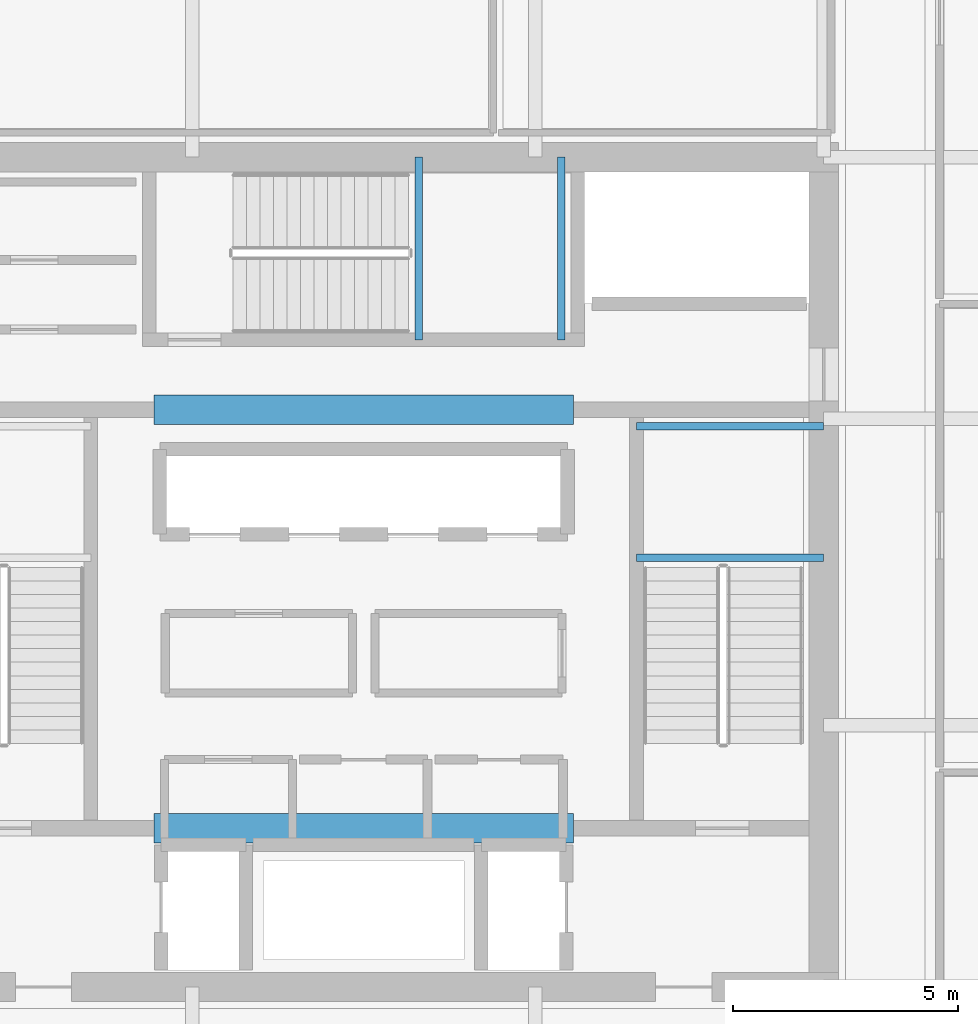
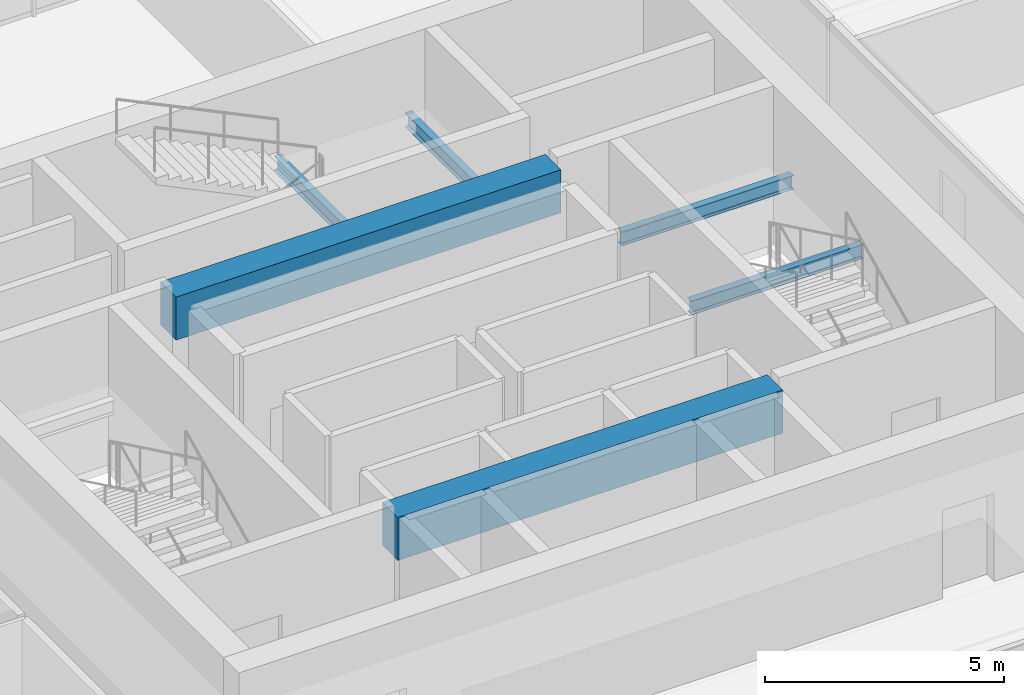
# One storey, part 12 of 36: 6 beams.
"""IFC4 building model written with IfcOpenShell, lengths in metres."""

from ifc_helpers import new_model, si_unit, direction, frame, origin, origin_2d, place, context, subcontext, project, spatial, rectangle, i_section, extrude, material, material_profile, profile_set, type_object, element, save


model = new_model("IFC4")

# Units and contexts
model_context = context("Model", 3, precision=1e-05, world=origin(), true_north=direction((0.0, 1.0)))
body_context = subcontext(model_context, "Body", "Model", "MODEL_VIEW")
ifc_project = project(units=[si_unit("LENGTHUNIT", "METRE"), si_unit("AREAUNIT", "SQUARE_METRE"), si_unit("VOLUMEUNIT", "CUBIC_METRE"), si_unit("PLANEANGLEUNIT", "RADIAN"), si_unit("MASSUNIT", "GRAM", prefix="KILO")], contexts=[model_context])

# Site, building, storey
site_placement = place(None, origin())
site = spatial("IfcSite", under=ifc_project, at=site_placement, CompositionType="ELEMENT")
building_placement = place(site_placement, origin())
building = spatial("IfcBuilding", under=site, at=building_placement, Name="Punatoya Terracotta Tower", CompositionType="ELEMENT")
storey_placement = place(building_placement, frame((0.0, 0.0, 208.64990234375)))
storey = spatial("IfcBuildingStorey", under=building, at=storey_placement, Name="L49", CompositionType="ELEMENT", Elevation=208.64990234375)

# Beams
ifc_material_1 = material(Name="Concrete C60/75", Category="concrete")
ifc_material_profile_1 = material_profile(ifc_material_1, rectangle(XDim=0.64990234375, YDim=1.10009765625, at=origin_2d()))
ifc_profile_set_1 = profile_set([ifc_material_profile_1], Name="Concrete C60/75")
beam_type_1 = type_object("IfcBeamType", Name="BM-RC-1100", PredefinedType="LINTEL", material=ifc_profile_set_1)
for number, where, z_axis, x_axis, name in (
    (1, (-4.64990234375, -5.679931640625, 3.280029296875), (1.0, 0.0, 0.0), (0.0, 1.0, 0.0), "L49 Core Coupling Lintel CSW"),
    (2, (-4.64990234375, 3.60009765625, 3.280029296875), (1.0, 0.0, 0.0), (0.0, 1.0, 0.0), "L49 Core Coupling Lintel CNW"),
):
    element("IfcBeam", number, at=place(storey_placement, frame(where, z_axis=z_axis, x_axis=x_axis)), inside=storey, type_object=beam_type_1, Name=name, PredefinedType="LINTEL", context=body_context, shape_type="SweptSolid", body=[
        extrude(rectangle(XDim=0.64990234375, YDim=1.10009765625, at=origin_2d()), origin(), (0.0, 0.0, 1.0), 9.2998046875),
    ])
ifc_material_2 = material(Name="Steel S355", Category="steel")
ifc_material_profile_2 = material_profile(ifc_material_2, i_section(OverallWidth=0.169921875, OverallDepth=0.360107421875, WebThickness=0.008056640625, FlangeThickness=0.0126953125, FilletRadius=0.01806640625, at=origin_2d()))
ifc_profile_set_2 = profile_set([ifc_material_profile_2], Name="Steel S355")
beam_type_2 = type_object("IfcBeamType", Name="BM-SEC-360", PredefinedType="JOIST", material=ifc_profile_set_2)
for number, where, z_axis, x_axis, name in (
    (3, (6.050048828125, 0.320068359375, 1.64501953125), (1.0, 0.0, 0.0), (0.0, 1.0, 0.0), "BM-L49-ST-2-LD1A"),
    (4, (6.050048828125, 3.22998046875, 1.64501953125), (1.0, 0.0, 0.0), (0.0, 1.0, 0.0), "BM-L49-ST-2-LD1B"),
):
    element("IfcBeam", number, at=place(storey_placement, frame(where, z_axis=z_axis, x_axis=x_axis)), inside=storey, type_object=beam_type_2, Name=name, PredefinedType="JOIST", context=body_context, shape_type="SweptSolid", body=[
        extrude(i_section(OverallWidth=0.169921875, OverallDepth=0.360107421875, WebThickness=0.008056640625, FlangeThickness=0.0126953125, FilletRadius=0.01806640625, at=origin_2d()), origin(), (0.0, 0.0, 1.0), 4.14990234375),
    ])
for number, where, z_axis, x_axis, name in (
    (5, (1.219970703125, 5.14990234375, 1.64501953125), (0.0, 1.0, 0.0), (-1.0, 0.0, 0.0), "BM-L49-ST-3-LD1A"),
    (6, (4.3798828125, 5.14990234375, 1.64501953125), (0.0, 1.0, 0.0), (-1.0, 0.0, 0.0), "BM-L49-ST-3-LD1B"),
):
    element("IfcBeam", number, at=place(storey_placement, frame(where, z_axis=z_axis, x_axis=x_axis)), inside=storey, type_object=beam_type_2, Name=name, PredefinedType="JOIST", context=body_context, shape_type="SweptSolid", body=[
        extrude(i_section(OverallWidth=0.169921875, OverallDepth=0.360107421875, WebThickness=0.008056640625, FlangeThickness=0.0126953125, FilletRadius=0.01806640625, at=origin_2d()), origin(), (0.0, 0.0, 1.0), 4.050048828125),
    ])

save(model, "model.ifc")
